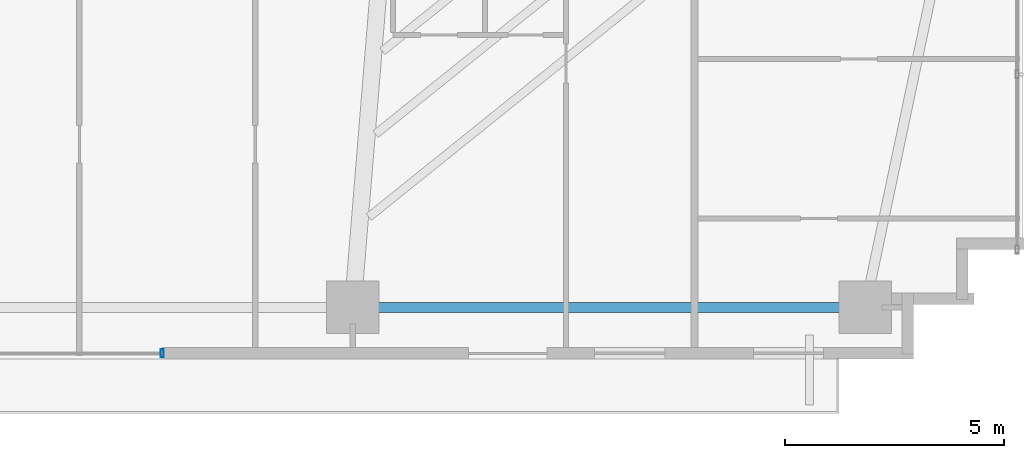
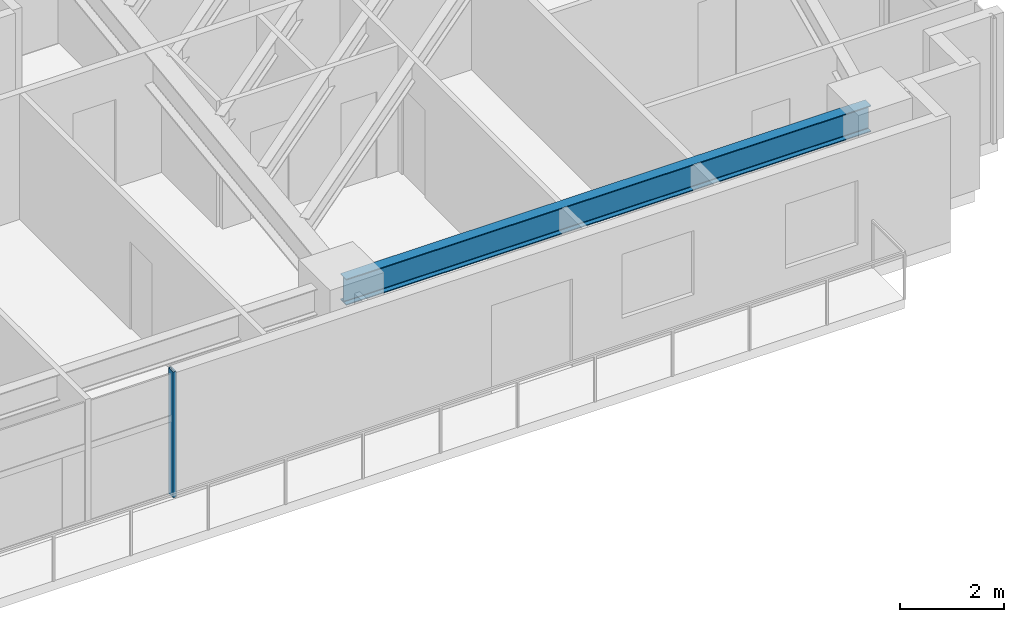
# One storey, part 12 of 25: 1 beam, 1 member, 1 element without a shape of its own.
"""IFC4 building model written with IfcOpenShell, lengths in metres."""

from ifc_helpers import new_model, si_unit, direction, frame, origin, origin_2d, place, context, subcontext, project, spatial, hollow_rectangle, i_section, extrude, source, transform, mapped, material, material_profile, profile_set, type_object, type_shapes, element, aggregate, save


model = new_model("IFC4")

# Units and contexts
model_context = context("Model", 3, precision=1e-05, world=origin(), true_north=direction((0.0, 1.0)))
body_context = subcontext(model_context, "Body", "Model", "MODEL_VIEW")
ifc_project = project(units=[si_unit("LENGTHUNIT", "METRE"), si_unit("AREAUNIT", "SQUARE_METRE"), si_unit("VOLUMEUNIT", "CUBIC_METRE"), si_unit("PLANEANGLEUNIT", "RADIAN"), si_unit("MASSUNIT", "GRAM", prefix="KILO")], contexts=[model_context])

# Site, building, storey
site_placement = place(None, origin())
site = spatial("IfcSite", under=ifc_project, at=site_placement, CompositionType="ELEMENT")
building_placement = place(site_placement, origin())
building = spatial("IfcBuilding", under=site, at=building_placement, Name="Astriad Promenade Condominiums", CompositionType="ELEMENT")
storey_placement = place(building_placement, frame((0.0, 0.0, 29.39990234375)))
storey = spatial("IfcBuildingStorey", under=building, at=storey_placement, Name="L07", CompositionType="ELEMENT", Elevation=29.39990234375)

# Beam
ifc_material_1 = material(Name="Steel ASTM A992 Grade 50", Category="steel")
ifc_material_profile_1 = material_profile(ifc_material_1, i_section(OverallWidth=0.22900390625, OverallDepth=0.612060546875, WebThickness=0.011962890625, FlangeThickness=0.01953125, FilletRadius=0.017822265625, at=origin_2d()), Name="W24X84")
ifc_profile_set_1 = profile_set([ifc_material_profile_1], Name="Steel ASTM A992 Grade 50")
beam_type = type_object("IfcBeamType", Name="STEEL SPANDREL BEAM W24X84", PredefinedType="SPANDREL", material=ifc_profile_set_1)
shared_shape_1 = source(origin(), body_context, "Body", "SweptSolid", [
    extrude(i_section(OverallWidth=0.22900390625, OverallDepth=0.612060546875, WebThickness=0.011962890625, FlangeThickness=0.01953125, FilletRadius=0.017822265625, at=origin_2d()), origin(), (0.0, 0.0, 1.0), 11.619873046875),
])
type_shapes(beam_type, [shared_shape_1])
beam_placement = place(storey_placement, frame((44.5400390625, 3.8798828125, 2.634033203125), z_axis=(1.0, 0.0, 0.0), x_axis=(0.0, 1.0, 0.0)))
element("IfcBeam", 1, at=beam_placement, inside=storey, type_object=beam_type, Name="Perimeter Spandrel Beam SP-S4-L07", PredefinedType="SPANDREL", context=body_context, shape_type="MappedRepresentation", body=[
    mapped(shared_shape_1, transform((0.0, 0.0, 0.0), scale=1.0)),
])

# Curtain wall, member
ifc_material_2 = material(Name="Anodised aluminium Black Dark Glass Unitised", Category="aluminium")
curtain_wall_type = type_object("IfcCurtainWallType", Name="CW-B1-DARK", PredefinedType="USERDEFINED", material=ifc_material_2)
curtain_wall_placement = place(storey_placement, origin())
curtain_wall = element("IfcCurtainWall", 2, at=curtain_wall_placement, inside=storey, type_object=curtain_wall_type, Name="CW-L07-S", ObjectType="UNITISED_CURTAIN_WALL", PredefinedType="USERDEFINED")
ifc_material_3 = material(Name="Anodised aluminium 6063-T6 Black", Category="aluminium")
ifc_material_profile_2 = material_profile(ifc_material_3, hollow_rectangle(XDim=0.074951171875, YDim=0.18505859375, WallThickness=0.00439453125, at=origin_2d()), Name="ALU-MUL-75X185")
ifc_profile_set_2 = profile_set([ifc_material_profile_2], Name="Anodised aluminium 6063-T6 Black")
member_type = type_object("IfcMemberType", Name="MUL-ALU-MUL-75X185", PredefinedType="MULLION", material=ifc_profile_set_2)
shared_shape_2 = source(origin(), body_context, "Body", "SweptSolid", [
    extrude(hollow_rectangle(XDim=0.074951171875, YDim=0.18505859375, WallThickness=0.00439453125, at=origin_2d()), origin(), (0.0, 0.0, 1.0), 2.940185546875),
])
type_shapes(member_type, [shared_shape_2])
member_placement = place(storey_placement, frame((40.14990234375, 2.830078125, 0.0), z_axis=(0.0, 0.0, 1.0), x_axis=(1.0, 0.0, 0.0)))
member = element("IfcMember", 3, at=member_placement, type_object=member_type, Name="CW-L07-S-MUL-00", PredefinedType="MULLION", context=body_context, shape_type="MappedRepresentation", body=[
    mapped(shared_shape_2, transform((0.0, 0.0, 0.0), scale=1.0)),
])
aggregate(curtain_wall, [member])

save(model, "model.ifc")
